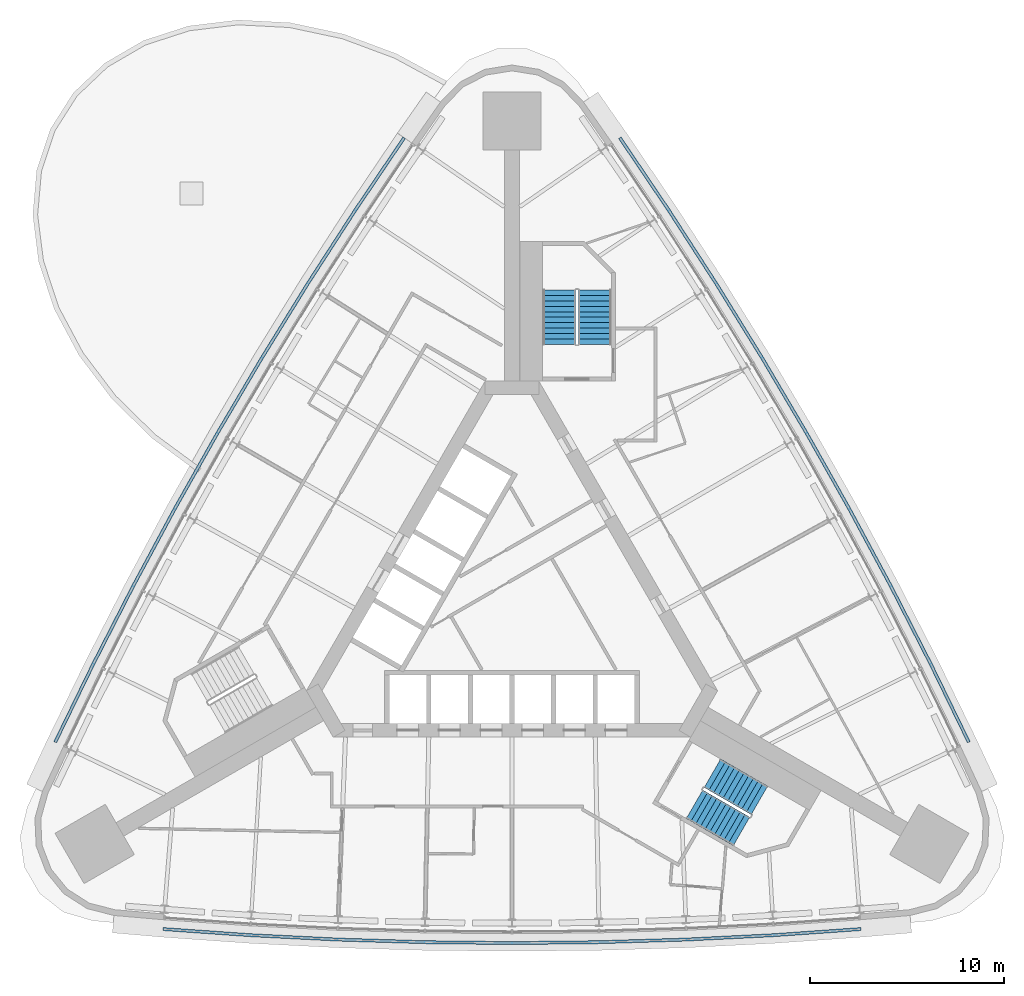
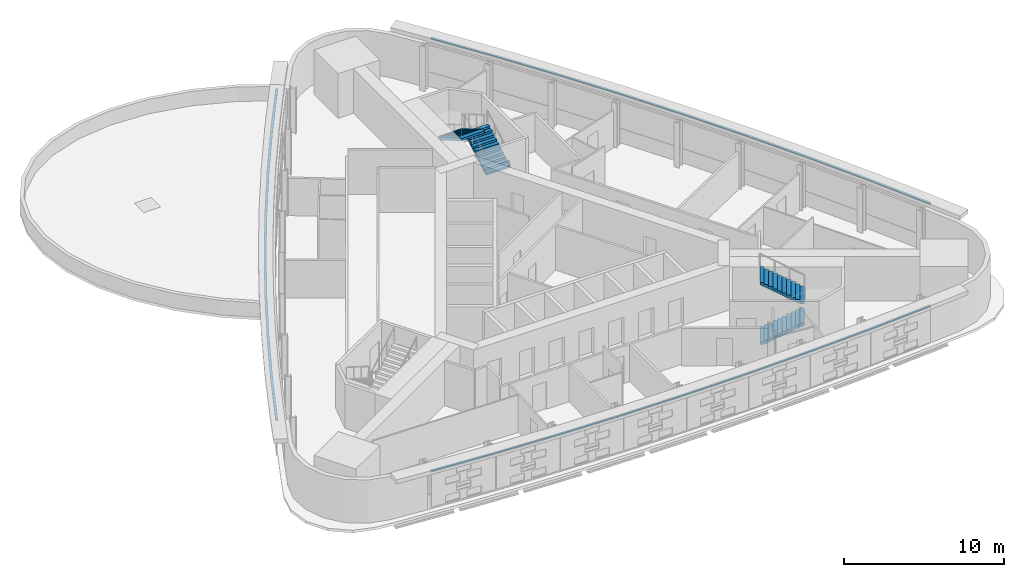
# One storey, part 10 of 12: 4 stair flights, 3 discrete accessories, 2 elements without a shape of their own.
"""IFC4 building model written with IfcOpenShell, lengths in metres."""

from ifc_helpers import new_model, si_unit, direction, frame, origin, place, context, subcontext, project, spatial, polyline, outline, extrude, material, type_object, element, aggregate, save


model = new_model("IFC4")

# Units and contexts
model_context = context("Model", 3, precision=1e-05, world=origin(), true_north=direction((0.0, 1.0)))
body_context = subcontext(model_context, "Body", "Model", "MODEL_VIEW")
ifc_project = project(units=[si_unit("LENGTHUNIT", "METRE"), si_unit("AREAUNIT", "SQUARE_METRE"), si_unit("VOLUMEUNIT", "CUBIC_METRE"), si_unit("PLANEANGLEUNIT", "RADIAN"), si_unit("MASSUNIT", "GRAM", prefix="KILO")], contexts=[model_context])

# Site, building, storey
site_placement = place(None, origin())
site = spatial("IfcSite", under=ifc_project, at=site_placement, CompositionType="ELEMENT")
building_placement = place(site_placement, origin())
building = spatial("IfcBuilding", under=site, at=building_placement, Name="Noor Cloister Tower", CompositionType="ELEMENT")
storey_placement = place(building_placement, frame((0.0, 0.0, 105.89990234375)))
storey = spatial("IfcBuildingStorey", under=building, at=storey_placement, Name="L27", CompositionType="ELEMENT", Elevation=105.89990234375)

# Stair, stair flights
ifc_material_1 = material(Name="Concrete C40/50", Category="concrete")
stair_type = type_object("IfcStairType", Name="Exit stair 22 risers", PredefinedType="HALF_TURN_STAIR", material=ifc_material_1)
stair_1_placement = place(storey_placement, origin())
stair_1 = element("IfcStair", 1, at=stair_1_placement, inside=storey, type_object=stair_type, Name="Exit stair ST1 L27", PredefinedType="HALF_TURN_STAIR")
ifc_material_2 = material(Name="Concrete C40/50", Category="concrete")
stair_flight_type = type_object("IfcStairFlightType", Name="Exit stair flight", PredefinedType="STRAIGHT", material=ifc_material_2)
stair_flight_1_placement = place(storey_placement, frame((4.28564453125, 13.3564453125, 0.0), z_axis=(0.0, 0.0, 1.0), x_axis=(0.0, 1.0, 0.0)))
stair_flight_1 = element("IfcStairFlight", 2, at=stair_flight_1_placement, type_object=stair_flight_type, Name="ST1 flight 1", NumberOfRisers=11, NumberOfTreads=10, PredefinedType="STRAIGHT", RiserHeight=0.163636364, TreadLength=0.28, context=body_context, shape_type="SweptSolid", body=[
    extrude(outline(polyline([(0.0, 0.0), (0.0, 0.16357421875), (0.280029296875, 0.16357421875), (0.280029296875, 0.327392578125), (0.56005859375, 0.327392578125), (0.56005859375, 0.490966796875), (0.840087890625, 0.490966796875), (0.840087890625, 0.654541015625), (1.1201171875, 0.654541015625), (1.1201171875, 0.818115234375), (1.39990234375, 0.818115234375), (1.39990234375, 0.98193359375), (1.679931640625, 0.98193359375), (1.679931640625, 1.1455078125), (1.9599609375, 1.1455078125), (1.9599609375, 1.30908203125), (2.239990234375, 1.30908203125), (2.239990234375, 1.47265625), (2.52001953125, 1.47265625), (2.52001953125, 1.636474609375), (2.800048828125, 1.636474609375), (2.800048828125, 1.800048828125), (2.800048828125, 1.462646484375), (0.297119140625, 0.0), (0.0, 0.0)])), frame((0.0, 0.85009765625, 0.0), z_axis=(0.0, -1.0, 0.0), x_axis=(1.0, 0.0, 0.0)), (0.0, 0.0, 1.0), 1.699951171875),
])
stair_flight_2_placement = place(storey_placement, frame((2.435546875, 16.156494140625, 1.800048828125), z_axis=(0.0, 0.0, 1.0), x_axis=(0.0, -1.0, 0.0)))
stair_flight_2 = element("IfcStairFlight", 3, at=stair_flight_2_placement, type_object=stair_flight_type, Name="ST1 flight 2", NumberOfRisers=11, NumberOfTreads=10, PredefinedType="STRAIGHT", RiserHeight=0.163636364, TreadLength=0.28, context=body_context, shape_type="SweptSolid", body=[
    extrude(outline(polyline([(0.0, 0.0), (0.0, 0.16357421875), (0.280029296875, 0.16357421875), (0.280029296875, 0.327392578125), (0.56005859375, 0.327392578125), (0.56005859375, 0.490966796875), (0.840087890625, 0.490966796875), (0.840087890625, 0.654541015625), (1.1201171875, 0.654541015625), (1.1201171875, 0.818115234375), (1.39990234375, 0.818115234375), (1.39990234375, 0.98193359375), (1.679931640625, 0.98193359375), (1.679931640625, 1.1455078125), (1.9599609375, 1.1455078125), (1.9599609375, 1.30908203125), (2.239990234375, 1.30908203125), (2.239990234375, 1.47265625), (2.52001953125, 1.47265625), (2.52001953125, 1.636474609375), (2.800048828125, 1.636474609375), (2.800048828125, 1.800048828125), (2.800048828125, 1.462646484375), (0.297119140625, 0.0), (0.0, 0.0)])), frame((0.0, 0.85009765625, 0.0), z_axis=(0.0, -1.0, 0.0), x_axis=(1.0, 0.0, 0.0)), (0.0, 0.0, 1.0), 1.699951171875),
])
aggregate(stair_1, [stair_flight_1, stair_flight_2])

stair_2_placement = place(storey_placement, origin())
stair_2 = element("IfcStair", 4, at=stair_2_placement, inside=storey, type_object=stair_type, Name="Exit stair ST3 L27", PredefinedType="HALF_TURN_STAIR")
stair_flight_3_placement = place(storey_placement, frame((9.424072265625, -10.3896484375, 0.0), z_axis=(0.0, 0.0, 1.0), x_axis=(0.866025403784, -0.5, 0.0)))
stair_flight_3 = element("IfcStairFlight", 5, at=stair_flight_3_placement, type_object=stair_flight_type, Name="ST3 flight 1", NumberOfRisers=11, NumberOfTreads=10, PredefinedType="STRAIGHT", RiserHeight=0.163636364, TreadLength=0.28, context=body_context, shape_type="SweptSolid", body=[
    extrude(outline(polyline([(0.0, 0.0), (0.0, 0.16357421875), (0.280029296875, 0.16357421875), (0.280029296875, 0.327392578125), (0.56005859375, 0.327392578125), (0.56005859375, 0.490966796875), (0.840087890625, 0.490966796875), (0.840087890625, 0.654541015625), (1.1201171875, 0.654541015625), (1.1201171875, 0.818115234375), (1.39990234375, 0.818115234375), (1.39990234375, 0.98193359375), (1.679931640625, 0.98193359375), (1.679931640625, 1.1455078125), (1.9599609375, 1.1455078125), (1.9599609375, 1.30908203125), (2.239990234375, 1.30908203125), (2.239990234375, 1.47265625), (2.52001953125, 1.47265625), (2.52001953125, 1.636474609375), (2.800048828125, 1.636474609375), (2.800048828125, 1.800048828125), (2.800048828125, 1.462646484375), (0.297119140625, 0.0), (0.0, 0.0)])), frame((0.0, 0.85009765625, 0.0), z_axis=(0.0, -1.0, 0.0), x_axis=(1.0, 0.0, 0.0)), (0.0, 0.0, 1.0), 1.699951171875),
])
stair_flight_4_placement = place(storey_placement, frame((12.77392578125, -10.1875, 1.800048828125), z_axis=(0.0, 0.0, 1.0), x_axis=(-0.866025403784, 0.5, 0.0)))
stair_flight_4 = element("IfcStairFlight", 6, at=stair_flight_4_placement, type_object=stair_flight_type, Name="ST3 flight 2", NumberOfRisers=11, NumberOfTreads=10, PredefinedType="STRAIGHT", RiserHeight=0.163636364, TreadLength=0.28, context=body_context, shape_type="SweptSolid", body=[
    extrude(outline(polyline([(0.0, 0.0), (0.0, 0.16357421875), (0.280029296875, 0.16357421875), (0.280029296875, 0.327392578125), (0.56005859375, 0.327392578125), (0.56005859375, 0.490966796875), (0.840087890625, 0.490966796875), (0.840087890625, 0.654541015625), (1.1201171875, 0.654541015625), (1.1201171875, 0.818115234375), (1.39990234375, 0.818115234375), (1.39990234375, 0.98193359375), (1.679931640625, 0.98193359375), (1.679931640625, 1.1455078125), (1.9599609375, 1.1455078125), (1.9599609375, 1.30908203125), (2.239990234375, 1.30908203125), (2.239990234375, 1.47265625), (2.52001953125, 1.47265625), (2.52001953125, 1.636474609375), (2.800048828125, 1.636474609375), (2.800048828125, 1.800048828125), (2.800048828125, 1.462646484375), (0.297119140625, 0.0), (0.0, 0.0)])), frame((0.0, 0.85009765625, 0.0), z_axis=(0.0, -1.0, 0.0), x_axis=(1.0, 0.0, 0.0)), (0.0, 0.0, 1.0), 1.699951171875),
])
aggregate(stair_2, [stair_flight_3, stair_flight_4])

# Discrete accessories
ifc_material_3 = material(Name="Stainless steel grade 316", Category="steel")
discrete_accessory_type = type_object("IfcDiscreteAccessoryType", Name="Stainless hanger rail", PredefinedType="BRACKET", material=ifc_material_3)
discrete_accessory_1_placement = place(storey_placement, frame((0.0, 0.0, 3.2001953125)))
element("IfcDiscreteAccessory", 7, at=discrete_accessory_1_placement, inside=storey, type_object=discrete_accessory_type, Name="Hanger rail L27", PredefinedType="BRACKET", context=body_context, shape_type="SweptSolid", body=[
    extrude(outline(polyline([(-5.635009765625, 24.06103515625), (-8.15625, 20.326904296875), (-10.60498046875, 16.538330078125), (-12.977294921875, 12.701171875), (-15.27197265625, 8.8173828125), (-17.48828125, 4.887939453125), (-19.625, 0.9150390625), (-21.681884765625, -3.099853515625), (-23.655029296875, -7.150390625), (-23.51123046875, -7.220458984375), (-21.53857421875, -3.17138671875), (-19.4833984375, 0.8408203125), (-17.34814453125, 4.810791015625), (-15.13330078125, 8.7373046875), (-12.84033203125, 12.618408203125), (-10.4697265625, 16.452880859375), (-8.022705078125, 20.23876953125), (-5.50244140625, 23.9716796875), (-5.635009765625, 24.06103515625)])), origin(), (0.0, 0.0, 1.0), 0.099853515625),
])
discrete_accessory_2_placement = place(storey_placement, frame((0.0, 0.0, 3.2001953125)))
element("IfcDiscreteAccessory", 8, at=discrete_accessory_2_placement, inside=storey, type_object=discrete_accessory_type, Name="Hanger rail L27", PredefinedType="BRACKET", context=body_context, shape_type="SweptSolid", body=[
    extrude(outline(polyline([(-18.02001953125, -16.91064453125), (-13.525634765625, -17.22705078125), (-9.02001953125, -17.453369140625), (-4.510986328125, -17.58935546875), (0.0, -17.634521484375), (4.510986328125, -17.58935546875), (9.02001953125, -17.453369140625), (13.525634765625, -17.22705078125), (18.02001953125, -16.91064453125), (18.0087890625, -16.7509765625), (13.515869140625, -17.0673828125), (9.013671875, -17.29345703125), (4.5078125, -17.42919921875), (0.0, -17.474609375), (-4.5078125, -17.42919921875), (-9.013671875, -17.29345703125), (-13.515869140625, -17.0673828125), (-18.0087890625, -16.7509765625), (-18.02001953125, -16.91064453125)])), origin(), (0.0, 0.0, 1.0), 0.099853515625),
])
discrete_accessory_3_placement = place(storey_placement, frame((0.0, 0.0, 3.2001953125)))
element("IfcDiscreteAccessory", 9, at=discrete_accessory_3_placement, inside=storey, type_object=discrete_accessory_type, Name="Hanger rail L27", PredefinedType="BRACKET", context=body_context, shape_type="SweptSolid", body=[
    extrude(outline(polyline([(23.655029296875, -7.150390625), (21.681884765625, -3.099853515625), (19.625, 0.9150390625), (17.48828125, 4.887939453125), (15.27197265625, 8.8173828125), (12.977294921875, 12.701171875), (10.60498046875, 16.538330078125), (8.15625, 20.326904296875), (5.635009765625, 24.06103515625), (5.50244140625, 23.9716796875), (8.022705078125, 20.23876953125), (10.4697265625, 16.452880859375), (12.84033203125, 12.618408203125), (15.13330078125, 8.7373046875), (17.34814453125, 4.810791015625), (19.4833984375, 0.8408203125), (21.53857421875, -3.17138671875), (23.51123046875, -7.220458984375), (23.655029296875, -7.150390625)])), origin(), (0.0, 0.0, 1.0), 0.099853515625),
])

save(model, "model.ifc")
